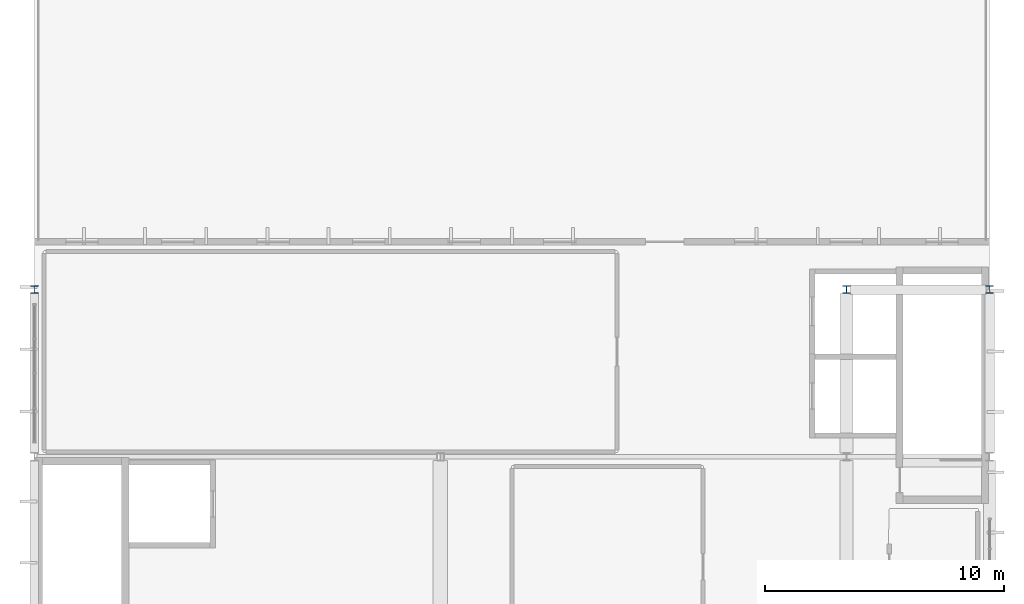
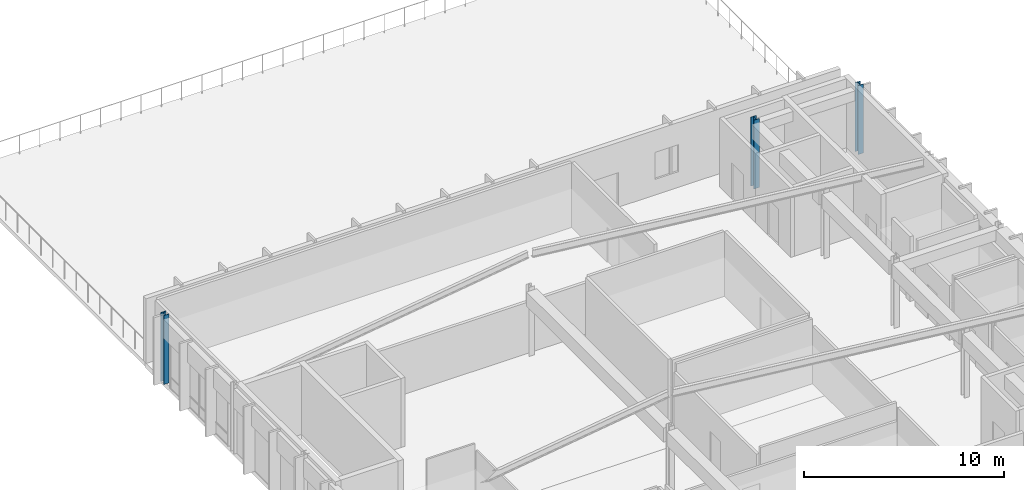
# One storey, part 3 of 16: 3 columns.
"""IFC4 building model written with IfcOpenShell, lengths in metres."""

from ifc_helpers import new_model, si_unit, direction, frame, origin, origin_2d, place, context, subcontext, project, spatial, i_section, extrude, material, material_profile, profile_set, type_object, element, save


model = new_model("IFC4")

# Units and contexts
model_context = context("Model", 3, precision=1e-05, world=origin(), true_north=direction((0.0, 1.0)))
body_context = subcontext(model_context, "Body", "Model", "MODEL_VIEW")
ifc_project = project(units=[si_unit("LENGTHUNIT", "METRE"), si_unit("AREAUNIT", "SQUARE_METRE"), si_unit("VOLUMEUNIT", "CUBIC_METRE"), si_unit("PLANEANGLEUNIT", "RADIAN"), si_unit("MASSUNIT", "GRAM", prefix="KILO")], contexts=[model_context])

# Site, building, storey
site_placement = place(None, origin())
site = spatial("IfcSite", under=ifc_project, at=site_placement, CompositionType="ELEMENT")
building_placement = place(site_placement, origin())
building = spatial("IfcBuilding", under=site, at=building_placement, Name="Larkveld Mobility Hub", CompositionType="ELEMENT")
storey_placement = place(building_placement, frame((0.0, 0.0, 22.800048828125)))
storey = spatial("IfcBuildingStorey", under=building, at=storey_placement, Name="L06", CompositionType="ELEMENT", Elevation=22.800048828125)

# Columns
ifc_material = material(Name="Steel S355JR", Category="steel")
ifc_material_profile = material_profile(ifc_material, i_section(OverallWidth=0.30908203125, OverallDepth=0.320556640625, WebThickness=0.013916015625, FlangeThickness=0.021728515625, FilletRadius=0.01513671875, at=origin_2d()), Name="UC 305x305x137")
ifc_profile_set = profile_set([ifc_material_profile], Name="Steel S355JR")
column_type = type_object("IfcColumnType", Name="CL-STUC305", PredefinedType="COLUMN", material=ifc_profile_set)
for number, where, z_axis, x_axis, name in (
    (1, (112.0, 63.0, 0.0), (0.0, 0.0, 1.0), (1.0, 0.0, 0.0), "Column EV-X112-Y63 (L06)"),
    (2, (146.0, 63.0, 0.0), (0.0, 0.0, 1.0), (1.0, 0.0, 0.0), "Column EV-X146-Y63 (L06)"),
    (3, (152.0, 63.0, 0.0), (0.0, 0.0, 1.0), (1.0, 0.0, 0.0), "Column EV-X152-Y63 (L06)"),
):
    element("IfcColumn", number, at=place(storey_placement, frame(where, z_axis=z_axis, x_axis=x_axis)), inside=storey, type_object=column_type, Name=name, PredefinedType="COLUMN", context=body_context, shape_type="SweptSolid", body=[
        extrude(i_section(OverallWidth=0.30908203125, OverallDepth=0.320556640625, WebThickness=0.013916015625, FlangeThickness=0.021728515625, FilletRadius=0.01513671875, at=origin_2d()), origin(), (0.0, 0.0, 1.0), 4.199951171875),
    ])

save(model, "model.ifc")
